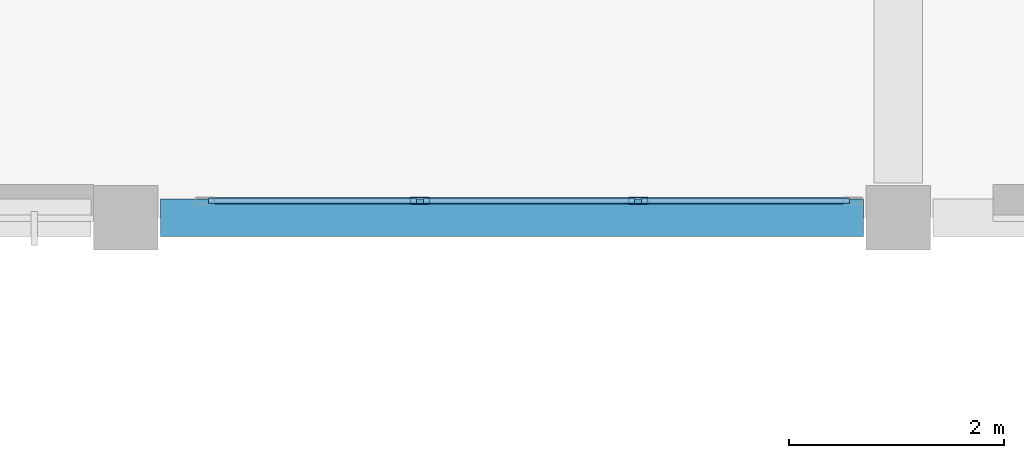
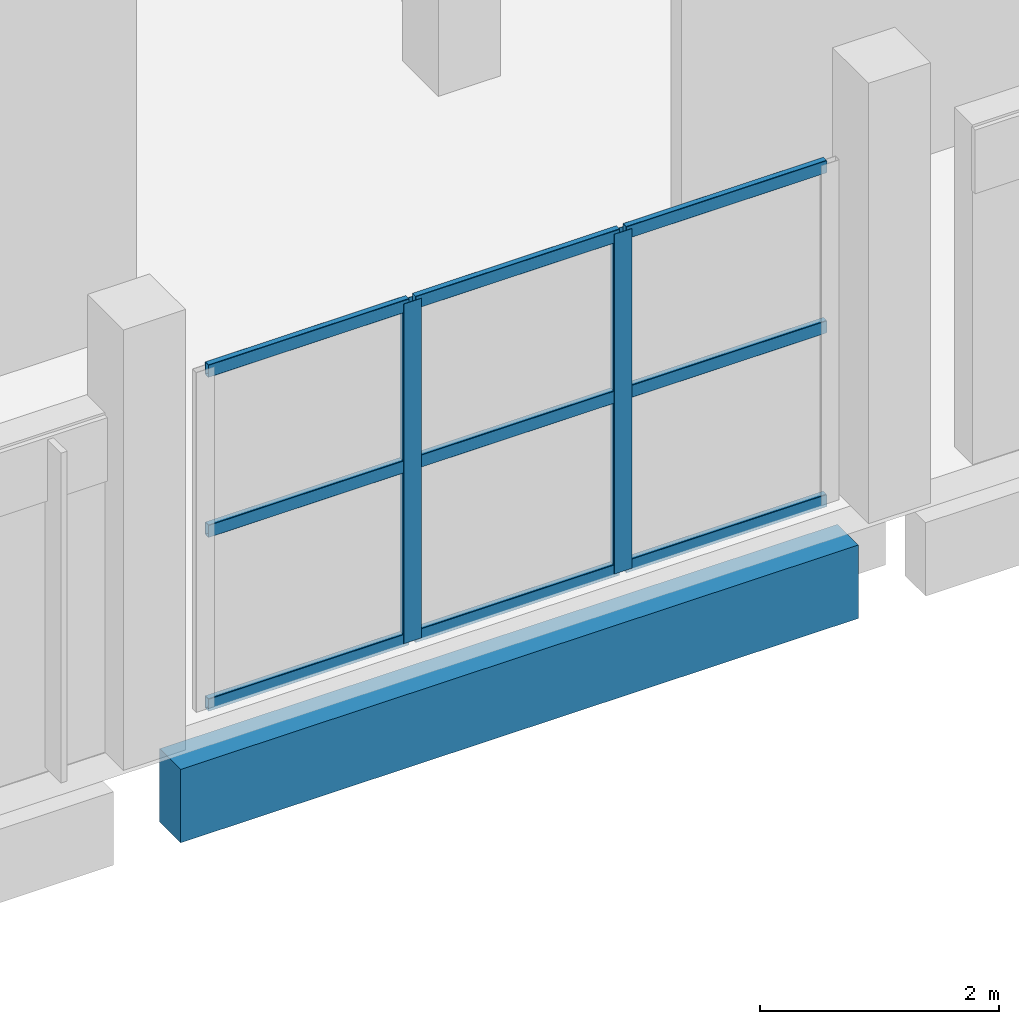
# One storey, part 50 of 123: 11 members, 1 beam, 1 element without a shape of its own.
"""IFC4 building model written with IfcOpenShell, lengths in metres."""

from ifc_helpers import new_model, si_unit, direction, frame, origin, origin_2d, place, context, subcontext, project, spatial, rectangle, hollow_rectangle, extrude, material, material_profile, profile_set, type_object, element, aggregate, save


model = new_model("IFC4")

# Units and contexts
model_context = context("Model", 3, precision=1e-05, world=origin(), true_north=direction((0.0, 1.0)))
body_context = subcontext(model_context, "Body", "Model", "MODEL_VIEW")
ifc_project = project(units=[si_unit("LENGTHUNIT", "METRE"), si_unit("AREAUNIT", "SQUARE_METRE"), si_unit("VOLUMEUNIT", "CUBIC_METRE"), si_unit("PLANEANGLEUNIT", "RADIAN"), si_unit("MASSUNIT", "GRAM", prefix="KILO")], contexts=[model_context])

# Site, building, storey
site_placement = place(None, origin())
site = spatial("IfcSite", under=ifc_project, at=site_placement, CompositionType="ELEMENT")
building_placement = place(site_placement, origin())
building = spatial("IfcBuilding", under=site, at=building_placement, Name="Kalmorath City Hall", CompositionType="ELEMENT")
storey_placement = place(building_placement, frame((0.0, 0.0, 10.199951171875)))
storey = spatial("IfcBuildingStorey", under=building, at=storey_placement, Name="L02", CompositionType="ELEMENT", Elevation=10.199951171875)

# Curtain wall, members
ifc_material_1 = material(Name="Anodised aluminium and laminated glass", Category="aluminium")
curtain_wall_type = type_object("IfcCurtainWallType", Name="Unitised hurricane curtain wall 6102x3471 M1750", PredefinedType="NOTDEFINED", material=ifc_material_1)
curtain_wall_placement = place(storey_placement, origin())
curtain_wall = element("IfcCurtainWall", 1, at=curtain_wall_placement, inside=storey, type_object=curtain_wall_type, Name="L02 curtain wall CW-61X35M18 #136", PredefinedType="NOTDEFINED")
ifc_material_2 = material(Name="Anodised aluminium framing", Category="aluminium")
ifc_material_profile_1 = material_profile(ifc_material_2, hollow_rectangle(XDim=0.06494140625, YDim=0.179931640625, WallThickness=0.00390625, InnerFilletRadius=0.00390625, OuterFilletRadius=0.008056640625, at=origin_2d()), Name="ALU-MUL-180X65X4")
ifc_profile_set_1 = profile_set([ifc_material_profile_1], Name="Anodised aluminium framing")
member_type_1 = type_object("IfcMemberType", Name="Curtain-wall courtyard mullion 180x65", PredefinedType="MULLION", material=ifc_profile_set_1)
member_1_placement = place(storey_placement, frame((62.3759765625, 93.760009765625, 0.0), z_axis=(0.0, 0.0, 1.0), x_axis=(0.0, -1.0, 0.0)))
member_1 = element("IfcMember", 2, at=member_1_placement, type_object=member_type_1, Name="CW-61X35M18 mullion 2", PredefinedType="MULLION", context=body_context, shape_type="SweptSolid", body=[
    extrude(hollow_rectangle(XDim=0.06494140625, YDim=0.179931640625, WallThickness=0.00390625, InnerFilletRadius=0.00390625, OuterFilletRadius=0.008056640625, at=origin_2d()), origin(), (0.0, 0.0, 1.0), 3.470947265625),
])
member_2_placement = place(storey_placement, frame((60.341796875, 93.760009765625, 0.0), z_axis=(0.0, 0.0, 1.0), x_axis=(0.0, -1.0, 0.0)))
member_2 = element("IfcMember", 3, at=member_2_placement, type_object=member_type_1, Name="CW-61X35M18 mullion 3", PredefinedType="MULLION", context=body_context, shape_type="SweptSolid", body=[
    extrude(hollow_rectangle(XDim=0.06494140625, YDim=0.179931640625, WallThickness=0.00390625, InnerFilletRadius=0.00390625, OuterFilletRadius=0.008056640625, at=origin_2d()), origin(), (0.0, 0.0, 1.0), 3.470947265625),
])
ifc_material_3 = material(Name="Anodised aluminium framing", Category="aluminium")
ifc_material_profile_2 = material_profile(ifc_material_3, hollow_rectangle(XDim=0.06005859375, YDim=0.1298828125, WallThickness=0.00341796875, InnerFilletRadius=0.00341796875, OuterFilletRadius=0.007080078125, at=origin_2d()), Name="ALU-TRN-130X60X3.5")
ifc_profile_set_2 = profile_set([ifc_material_profile_2], Name="Anodised aluminium framing")
member_type_2 = type_object("IfcMemberType", Name="Curtain-wall courtyard transom 130x60", PredefinedType="USERDEFINED", material=ifc_profile_set_2)
member_3_placement = place(storey_placement, frame((64.344970703125, 93.760009765625, 0.030029296875), z_axis=(-1.0, 0.0, 0.0), x_axis=(0.0, -1.0, 0.0)))
member_3 = element("IfcMember", 4, at=member_3_placement, type_object=member_type_2, Name="CW-61X35M18 transom 1.1", ObjectType="TRANSOM", PredefinedType="USERDEFINED", context=body_context, shape_type="SweptSolid", body=[
    extrude(hollow_rectangle(XDim=0.06005859375, YDim=0.1298828125, WallThickness=0.00341796875, InnerFilletRadius=0.00341796875, OuterFilletRadius=0.007080078125, at=origin_2d()), origin(), (0.0, 0.0, 1.0), 1.9365234375),
])
member_4_placement = place(storey_placement, frame((64.344970703125, 93.760009765625, 1.804931640625), z_axis=(-1.0, 0.0, 0.0), x_axis=(0.0, -1.0, 0.0)))
member_4 = element("IfcMember", 5, at=member_4_placement, type_object=member_type_2, Name="CW-61X35M18 transom 1.2", ObjectType="TRANSOM", PredefinedType="USERDEFINED", context=body_context, shape_type="SweptSolid", body=[
    extrude(hollow_rectangle(XDim=0.06005859375, YDim=0.1298828125, WallThickness=0.00341796875, InnerFilletRadius=0.00341796875, OuterFilletRadius=0.007080078125, at=origin_2d()), origin(), (0.0, 0.0, 1.0), 1.9365234375),
])
member_5_placement = place(storey_placement, frame((64.344970703125, 93.760009765625, 3.441162109375), z_axis=(-1.0, 0.0, 0.0), x_axis=(0.0, -1.0, 0.0)))
member_5 = element("IfcMember", 6, at=member_5_placement, type_object=member_type_2, Name="CW-61X35M18 transom 1.3", ObjectType="TRANSOM", PredefinedType="USERDEFINED", context=body_context, shape_type="SweptSolid", body=[
    extrude(hollow_rectangle(XDim=0.06005859375, YDim=0.1298828125, WallThickness=0.00341796875, InnerFilletRadius=0.00341796875, OuterFilletRadius=0.007080078125, at=origin_2d()), origin(), (0.0, 0.0, 1.0), 1.9365234375),
])
member_6_placement = place(storey_placement, frame((62.34326171875, 93.760009765625, 0.030029296875), z_axis=(-1.0, 0.0, 0.0), x_axis=(0.0, -1.0, 0.0)))
member_6 = element("IfcMember", 7, at=member_6_placement, type_object=member_type_2, Name="CW-61X35M18 transom 2.1", ObjectType="TRANSOM", PredefinedType="USERDEFINED", context=body_context, shape_type="SweptSolid", body=[
    extrude(hollow_rectangle(XDim=0.06005859375, YDim=0.1298828125, WallThickness=0.00341796875, InnerFilletRadius=0.00341796875, OuterFilletRadius=0.007080078125, at=origin_2d()), origin(), (0.0, 0.0, 1.0), 1.968994140625),
])
member_7_placement = place(storey_placement, frame((62.34326171875, 93.760009765625, 1.804931640625), z_axis=(-1.0, 0.0, 0.0), x_axis=(0.0, -1.0, 0.0)))
member_7 = element("IfcMember", 8, at=member_7_placement, type_object=member_type_2, Name="CW-61X35M18 transom 2.2", ObjectType="TRANSOM", PredefinedType="USERDEFINED", context=body_context, shape_type="SweptSolid", body=[
    extrude(hollow_rectangle(XDim=0.06005859375, YDim=0.1298828125, WallThickness=0.00341796875, InnerFilletRadius=0.00341796875, OuterFilletRadius=0.007080078125, at=origin_2d()), origin(), (0.0, 0.0, 1.0), 1.968994140625),
])
member_8_placement = place(storey_placement, frame((62.34326171875, 93.760009765625, 3.441162109375), z_axis=(-1.0, 0.0, 0.0), x_axis=(0.0, -1.0, 0.0)))
member_8 = element("IfcMember", 9, at=member_8_placement, type_object=member_type_2, Name="CW-61X35M18 transom 2.3", ObjectType="TRANSOM", PredefinedType="USERDEFINED", context=body_context, shape_type="SweptSolid", body=[
    extrude(hollow_rectangle(XDim=0.06005859375, YDim=0.1298828125, WallThickness=0.00341796875, InnerFilletRadius=0.00341796875, OuterFilletRadius=0.007080078125, at=origin_2d()), origin(), (0.0, 0.0, 1.0), 1.968994140625),
])
member_9_placement = place(storey_placement, frame((60.309326171875, 93.760009765625, 0.030029296875), z_axis=(-1.0, 0.0, 0.0), x_axis=(0.0, -1.0, 0.0)))
member_9 = element("IfcMember", 10, at=member_9_placement, type_object=member_type_2, Name="CW-61X35M18 transom 3.1", ObjectType="TRANSOM", PredefinedType="USERDEFINED", context=body_context, shape_type="SweptSolid", body=[
    extrude(hollow_rectangle(XDim=0.06005859375, YDim=0.1298828125, WallThickness=0.00341796875, InnerFilletRadius=0.00341796875, OuterFilletRadius=0.007080078125, at=origin_2d()), origin(), (0.0, 0.0, 1.0), 1.936767578125),
])
member_10_placement = place(storey_placement, frame((60.309326171875, 93.760009765625, 1.804931640625), z_axis=(-1.0, 0.0, 0.0), x_axis=(0.0, -1.0, 0.0)))
member_10 = element("IfcMember", 11, at=member_10_placement, type_object=member_type_2, Name="CW-61X35M18 transom 3.2", ObjectType="TRANSOM", PredefinedType="USERDEFINED", context=body_context, shape_type="SweptSolid", body=[
    extrude(hollow_rectangle(XDim=0.06005859375, YDim=0.1298828125, WallThickness=0.00341796875, InnerFilletRadius=0.00341796875, OuterFilletRadius=0.007080078125, at=origin_2d()), origin(), (0.0, 0.0, 1.0), 1.936767578125),
])
member_11_placement = place(storey_placement, frame((60.309326171875, 93.760009765625, 3.441162109375), z_axis=(-1.0, 0.0, 0.0), x_axis=(0.0, -1.0, 0.0)))
member_11 = element("IfcMember", 12, at=member_11_placement, type_object=member_type_2, Name="CW-61X35M18 transom 3.3", ObjectType="TRANSOM", PredefinedType="USERDEFINED", context=body_context, shape_type="SweptSolid", body=[
    extrude(hollow_rectangle(XDim=0.06005859375, YDim=0.1298828125, WallThickness=0.00341796875, InnerFilletRadius=0.00341796875, OuterFilletRadius=0.007080078125, at=origin_2d()), origin(), (0.0, 0.0, 1.0), 1.936767578125),
])
aggregate(curtain_wall, [member_1, member_2, member_3, member_4, member_5, member_6, member_7, member_8, member_9, member_10, member_11])

# Beam
ifc_material_4 = material(Name="Precast concrete C40/50", Category="concrete")
ifc_material_profile_3 = material_profile(ifc_material_4, rectangle(XDim=0.35009765625, YDim=0.75, at=origin_2d()), Name="PC-SP-350X750")
ifc_profile_set_3 = profile_set([ifc_material_profile_3], Name="Precast concrete C40/50")
beam_type = type_object("IfcBeamType", Name="Precast spandrel lintel 350x750", PredefinedType="LINTEL", material=ifc_profile_set_3)
beam_placement = place(storey_placement, frame((57.925048828125, 93.60009765625, -0.658935546875), z_axis=(1.0, 0.0, 0.0), x_axis=(0.0, 1.0, 0.0)))
element("IfcBeam", 13, at=beam_placement, inside=storey, type_object=beam_type, Name="L02 girder PSB1 X9-10/14", PredefinedType="LINTEL", context=body_context, shape_type="SweptSolid", body=[
    extrude(rectangle(XDim=0.35009765625, YDim=0.75, at=origin_2d()), origin(), (0.0, 0.0, 1.0), 6.550048828125),
])

save(model, "model.ifc")
